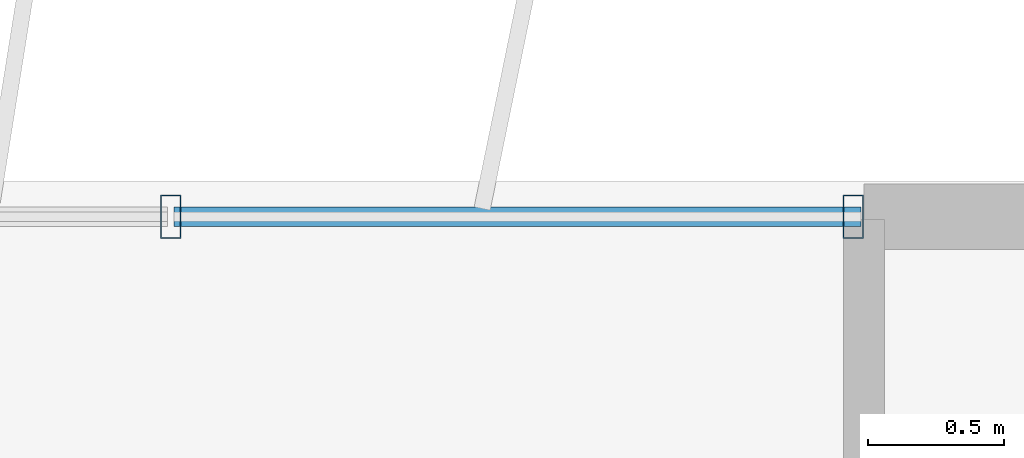
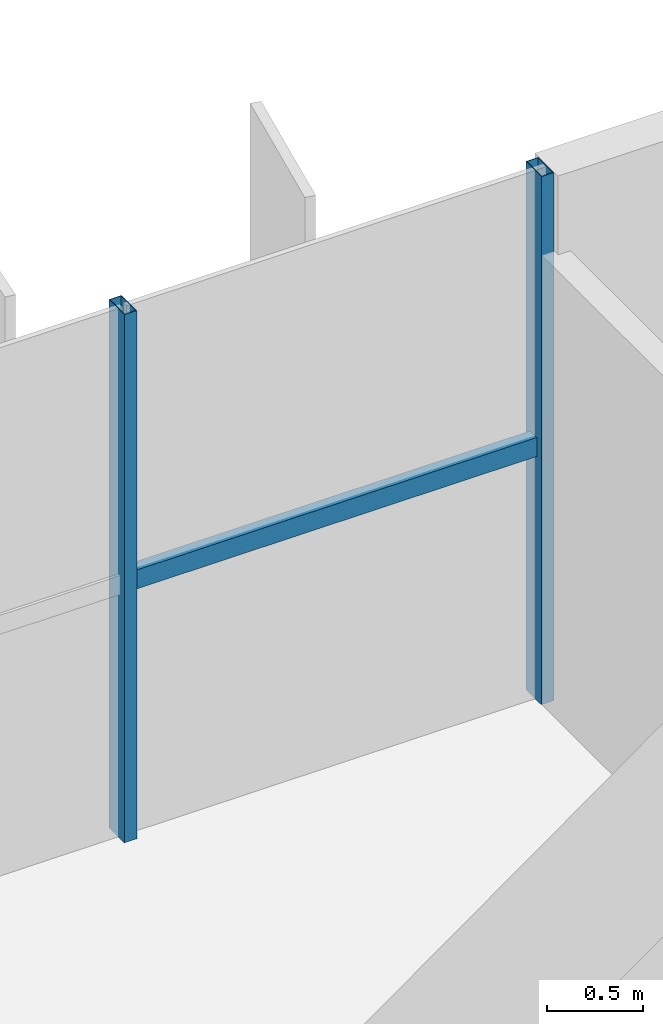
# One storey, part 12 of 20: 3 members, 1 element without a shape of its own.
"""IFC4 building model written with IfcOpenShell, lengths in metres."""

from ifc_helpers import new_model, si_unit, direction, frame, origin, origin_2d, place, context, subcontext, project, spatial, hollow_rectangle, extrude, source, transform, mapped, material, material_profile, profile_set, type_object, element, aggregate, save


model = new_model("IFC4")

# Units and contexts
model_context = context("Model", 3, precision=1e-05, world=origin(), true_north=direction((0.0, 1.0)))
body_context = subcontext(model_context, "Body", "Model", "MODEL_VIEW")
ifc_project = project(units=[si_unit("LENGTHUNIT", "METRE"), si_unit("AREAUNIT", "SQUARE_METRE"), si_unit("VOLUMEUNIT", "CUBIC_METRE"), si_unit("PLANEANGLEUNIT", "RADIAN"), si_unit("MASSUNIT", "GRAM", prefix="KILO")], contexts=[model_context])

# Site, building, storey
site_placement = place(None, origin())
site = spatial("IfcSite", under=ifc_project, at=site_placement, CompositionType="ELEMENT")
building_placement = place(site_placement, origin())
building = spatial("IfcBuilding", under=site, at=building_placement, Name="Trelvane Seafront Commons", CompositionType="ELEMENT")
storey_placement = place(building_placement, frame((0.0, 0.0, 146.5)))
storey = spatial("IfcBuildingStorey", under=building, at=storey_placement, Name="L38", CompositionType="ELEMENT", Elevation=146.5)

# Curtain wall, members
ifc_material = material(Name="Anodised pale-silver aluminium", Category="aluminium")
curtain_wall_type = type_object("IfcCurtainWallType", Name="ARCH-CW5-UPTOWER", PredefinedType="NOTDEFINED", material=ifc_material)
curtain_wall_placement = place(storey_placement, origin())
curtain_wall = element("IfcCurtainWall", 1, at=curtain_wall_placement, inside=storey, type_object=curtain_wall_type, Name="CW-L38-0065", PredefinedType="NOTDEFINED")
ifc_material_profile_1 = material_profile(ifc_material, hollow_rectangle(XDim=0.070068359375, YDim=0.1201171875, WallThickness=0.00390625, at=origin_2d()), Name="TRAN-70x120x4")
ifc_profile_set_1 = profile_set([ifc_material_profile_1], Name="Anodised pale-silver aluminium")
member_type_1 = type_object("IfcMemberType", Name="ARCH-CW-TRAN-120", PredefinedType="USERDEFINED", material=ifc_profile_set_1)
shared_shape_1 = source(origin(), body_context, "Body", "SweptSolid", [
    extrude(hollow_rectangle(XDim=0.070068359375, YDim=0.1201171875, WallThickness=0.00390625, at=origin_2d()), origin(), (0.0, 0.0, 1.0), 2.517333984375),
])
member_1_placement = place(storey_placement, frame((56.270751953125, 48.3701171875, 1.60791015625), z_axis=(1.0, 0.0, 0.0), x_axis=(0.0, 1.0, 0.0)))
member_1 = element("IfcMember", 2, at=member_1_placement, type_object=member_type_1, Name="CW-L38-0065-T16", ObjectType="TRANSOM", PredefinedType="USERDEFINED", context=body_context, shape_type="MappedRepresentation", body=[
    mapped(shared_shape_1, transform((0.0, 0.0, 0.0), x_axis=(1.0, 0.0, 0.0), y_axis=(0.0, 1.0, 0.0), z_axis=(0.0, 0.0, 1.0), scale=1.0)),
])
ifc_material_profile_2 = material_profile(ifc_material, hollow_rectangle(XDim=0.074951171875, YDim=0.159912109375, WallThickness=0.00390625, at=origin_2d()), Name="MULL-75x160x4")
ifc_profile_set_2 = profile_set([ifc_material_profile_2], Name="Anodised pale-silver aluminium")
member_type_2 = type_object("IfcMemberType", Name="ARCH-CW-MULL-160", PredefinedType="MULLION", material=ifc_profile_set_2)
shared_shape_2 = source(origin(), body_context, "Body", "SweptSolid", [
    extrude(hollow_rectangle(XDim=0.074951171875, YDim=0.159912109375, WallThickness=0.00390625, at=origin_2d()), origin(), (0.0, 0.0, 1.0), 3.35009765625),
])
member_2_placement = place(storey_placement, frame((56.2587890625, 48.3701171875, 0.0), z_axis=(0.0, 0.0, 1.0), x_axis=(1.0, 0.0, 0.0)))
member_2 = element("IfcMember", 3, at=member_2_placement, type_object=member_type_2, Name="CW-L38-0065-M16", PredefinedType="MULLION", context=body_context, shape_type="MappedRepresentation", body=[
    mapped(shared_shape_2, transform((0.0, 0.0, 0.0), x_axis=(1.0, 0.0, 0.0), y_axis=(0.0, 1.0, 0.0), z_axis=(0.0, 0.0, 1.0), scale=1.0)),
])
member_3_placement = place(storey_placement, frame((58.760009765625, 48.3701171875, 0.0), z_axis=(0.0, 0.0, 1.0), x_axis=(1.0, 0.0, 0.0)))
member_3 = element("IfcMember", 4, at=member_3_placement, type_object=member_type_2, Name="CW-L38-0065-M17", PredefinedType="MULLION", context=body_context, shape_type="MappedRepresentation", body=[
    mapped(shared_shape_2, transform((0.0, 0.0, 0.0), x_axis=(1.0, 0.0, 0.0), y_axis=(0.0, 1.0, 0.0), z_axis=(0.0, 0.0, 1.0), scale=1.0)),
])
aggregate(curtain_wall, [member_2, member_3, member_1])

save(model, "model.ifc")
